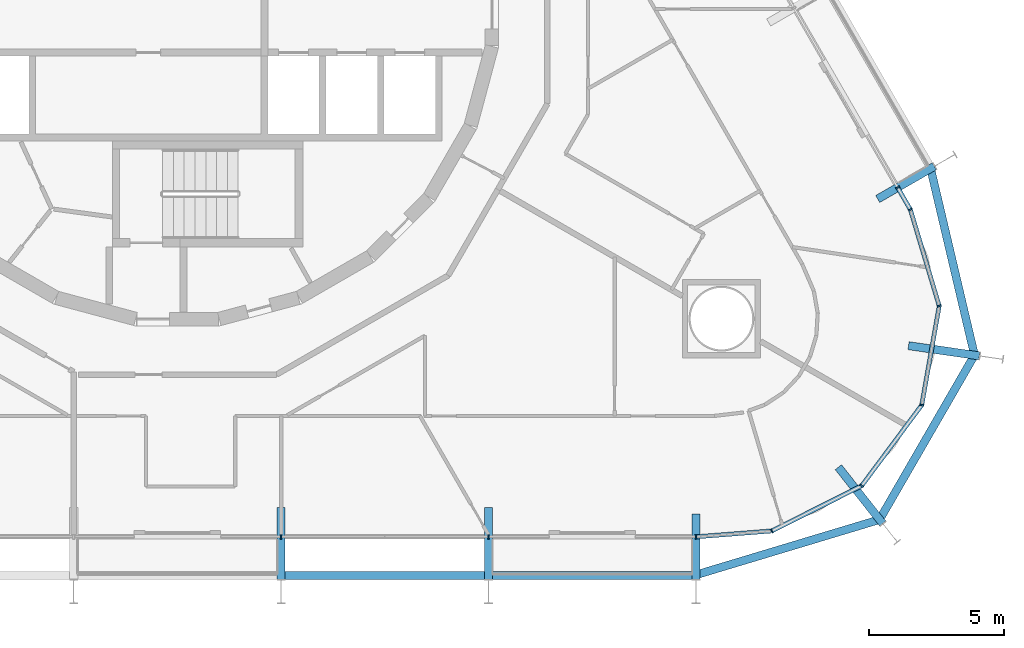
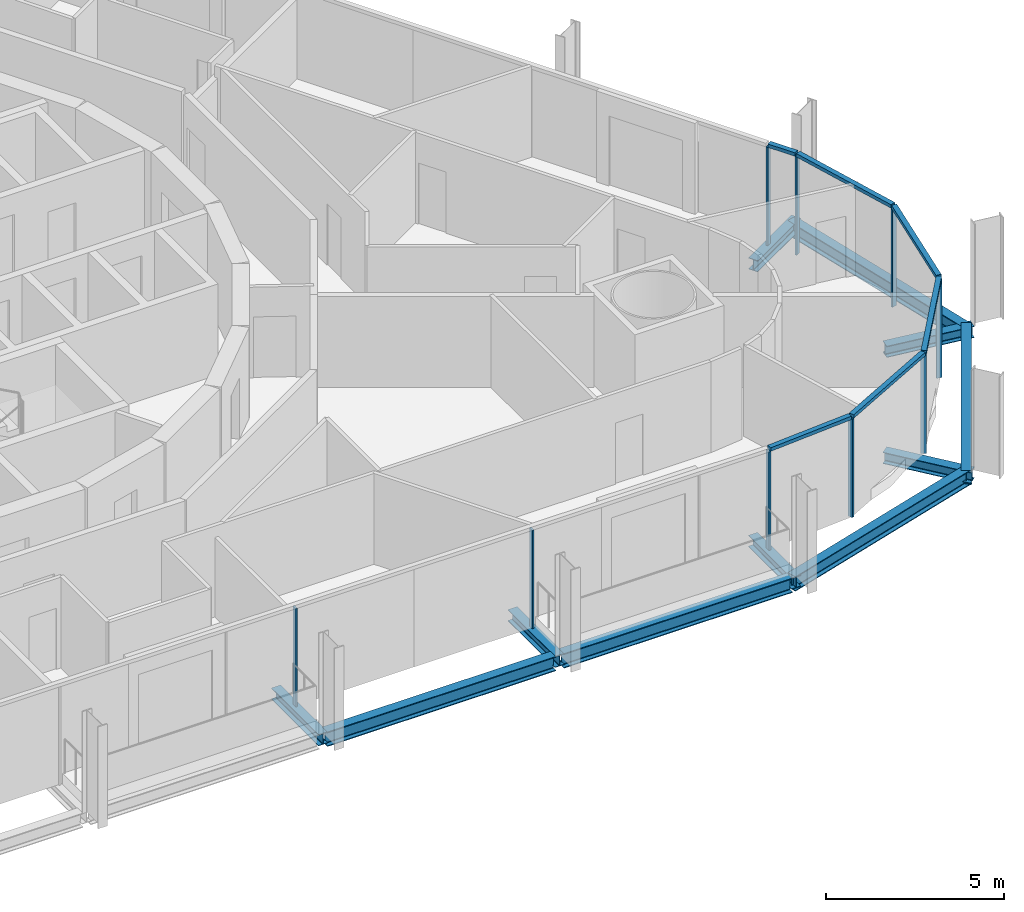
# One storey, part 6 of 20: 15 members, 11 beams, 3 elements without a shape of their own.
"""IFC4 building model written with IfcOpenShell, lengths in metres."""

from ifc_helpers import new_model, si_unit, direction, frame, origin, origin_2d, place, context, subcontext, project, spatial, rectangle, i_section, extrude, material, layer, layer_set, material_profile, profile_set, type_object, element, aggregate, save


model = new_model("IFC4")

# Units and contexts
model_context = context("Model", 3, precision=1e-05, world=origin(), true_north=direction((0.0, 1.0)))
body_context = subcontext(model_context, "Body", "Model", "MODEL_VIEW")
ifc_project = project(units=[si_unit("LENGTHUNIT", "METRE"), si_unit("AREAUNIT", "SQUARE_METRE"), si_unit("VOLUMEUNIT", "CUBIC_METRE"), si_unit("PLANEANGLEUNIT", "RADIAN"), si_unit("MASSUNIT", "GRAM", prefix="KILO")], contexts=[model_context])

# Site, building, storey
site_placement = place(None, origin())
site = spatial("IfcSite", under=ifc_project, at=site_placement, CompositionType="ELEMENT")
building_placement = place(site_placement, origin())
building = spatial("IfcBuilding", under=site, at=building_placement, Name="Spindle Arch Residences", CompositionType="ELEMENT")
storey_placement = place(building_placement, frame((0.0, 0.0, 41.89990234375)))
storey = spatial("IfcBuildingStorey", under=building, at=storey_placement, Name="L08", CompositionType="ELEMENT", Elevation=41.89990234375)

# Curtain wall, members
ifc_material_1 = material(Name="Aluminium bronze unitised frame with tinted glass", Category="aluminium")
ifc_layer_1 = layer(ifc_material_1, 0.159912109375)
ifc_layer_set_1 = layer_set([ifc_layer_1], Name="CW-D corner wall on the fillet arcs")
curtain_wall_type_1 = type_object("IfcCurtainWallType", Name="CW-D corner wall on the fillet arcs", PredefinedType="NOTDEFINED", material=ifc_layer_set_1)
curtain_wall_1_placement = place(storey_placement, origin())
curtain_wall_1 = element("IfcCurtainWall", 1, at=curtain_wall_1_placement, inside=storey, type_object=curtain_wall_type_1, Name="CW-D L08 run 1", PredefinedType="NOTDEFINED")
ifc_material_2 = material(Name="Aluminium bronze anodised mullion", Category="aluminium")
ifc_material_profile_1 = material_profile(ifc_material_2, rectangle(XDim=0.159912109375, YDim=0.06005859375, at=origin_2d()), Name="MU 60x160")
ifc_profile_set_1 = profile_set([ifc_material_profile_1], Name="Aluminium bronze anodised mullion")
member_type_1 = type_object("IfcMemberType", Name="Bronze mullion 60x160", PredefinedType="MULLION", material=ifc_profile_set_1)
member_1_placement = place(storey_placement, frame((19.2001953125, -19.7099609375, -0.3798828125), z_axis=(0.0, 0.0, 1.0), x_axis=(-0.077364085451, 0.997002907861, 0.0)))
member_1 = element("IfcMember", 2, at=member_1_placement, type_object=member_type_1, Name="CW-D mullion 00", PredefinedType="MULLION", context=body_context, shape_type="SweptSolid", body=[
    extrude(rectangle(XDim=0.159912109375, YDim=0.06005859375, at=origin_2d()), origin(), (0.0, 0.0, 1.0), 3.3798828125),
])
member_2_placement = place(storey_placement, frame((22.007080078125, -19.4921875, -0.3798828125), z_axis=(0.0, 0.0, 1.0), x_axis=(-0.448799176213, 0.893632642326, 0.0)))
member_2 = element("IfcMember", 3, at=member_2_placement, type_object=member_type_1, Name="CW-D mullion 01", PredefinedType="MULLION", context=body_context, shape_type="SweptSolid", body=[
    extrude(rectangle(XDim=0.159912109375, YDim=0.06005859375, at=origin_2d()), origin(), (0.0, 0.0, 1.0), 3.3798828125),
])
member_3_placement = place(storey_placement, frame((25.33740234375, -17.819580078125, -0.3798828125), z_axis=(0.0, 0.0, 1.0), x_axis=(-0.802123189687, 0.597158595823, 0.0)))
member_3 = element("IfcMember", 4, at=member_3_placement, type_object=member_type_1, Name="CW-D mullion 02", PredefinedType="MULLION", context=body_context, shape_type="SweptSolid", body=[
    extrude(rectangle(XDim=0.159912109375, YDim=0.06005859375, at=origin_2d()), origin(), (0.0, 0.0, 1.0), 3.3798828125),
])
member_4_placement = place(storey_placement, frame((27.562744140625, -14.830322265625, -0.3798828125), z_axis=(0.0, 0.0, 1.0), x_axis=(-0.984807752421, 0.173648181019, 0.0)))
member_4 = element("IfcMember", 5, at=member_4_placement, type_object=member_type_1, Name="CW-D mullion 03", PredefinedType="MULLION", context=body_context, shape_type="SweptSolid", body=[
    extrude(rectangle(XDim=0.159912109375, YDim=0.06005859375, at=origin_2d()), origin(), (0.0, 0.0, 1.0), 3.3798828125),
])
member_5_placement = place(storey_placement, frame((28.2099609375, -11.16015625, -0.3798828125), z_axis=(0.0, 0.0, 1.0), x_axis=(-0.957989512975, -0.28680323051, 0.0)))
member_5 = element("IfcMember", 6, at=member_5_placement, type_object=member_type_1, Name="CW-D mullion 04", PredefinedType="MULLION", context=body_context, shape_type="SweptSolid", body=[
    extrude(rectangle(XDim=0.159912109375, YDim=0.06005859375, at=origin_2d()), origin(), (0.0, 0.0, 1.0), 3.3798828125),
])
member_6_placement = place(storey_placement, frame((27.14111328125, -7.58984375, -0.3798828125), z_axis=(0.0, 0.0, 1.0), x_axis=(-0.866025403784, -0.5, 0.0)))
member_6 = element("IfcMember", 7, at=member_6_placement, type_object=member_type_1, Name="CW-D mullion 05", PredefinedType="MULLION", context=body_context, shape_type="SweptSolid", body=[
    extrude(rectangle(XDim=0.159912109375, YDim=0.06005859375, at=origin_2d()), origin(), (0.0, 0.0, 1.0), 3.3798828125),
])

# Curtain wall, member
ifc_material_3 = material(Name="Aluminium bronze unitised frame with tinted glass", Category="aluminium")
ifc_layer_2 = layer(ifc_material_3, 0.159912109375)
ifc_layer_set_2 = layer_set([ifc_layer_2], Name="CW-C typical residential unitised wall")
curtain_wall_type_2 = type_object("IfcCurtainWallType", Name="CW-C typical residential unitised wall", PredefinedType="NOTDEFINED", material=ifc_layer_set_2)
curtain_wall_2_placement = place(storey_placement, origin())
curtain_wall_2 = element("IfcCurtainWall", 8, at=curtain_wall_2_placement, inside=storey, type_object=curtain_wall_type_2, Name="CW-C L08 run 2", PredefinedType="NOTDEFINED")
member_7_placement = place(storey_placement, frame((26.66943359375, -6.77294921875, -0.3798828125), z_axis=(0.0, 0.0, 1.0), x_axis=(-0.866025403784, -0.5, 0.0)))
member_7 = element("IfcMember", 9, at=member_7_placement, type_object=member_type_1, Name="CW-C mullion 05", PredefinedType="MULLION", context=body_context, shape_type="SweptSolid", body=[
    extrude(rectangle(XDim=0.159912109375, YDim=0.06005859375, at=origin_2d()), origin(), (0.0, 0.0, 1.0), 3.3798828125),
])
aggregate(curtain_wall_2, [member_7])

# Curtain wall, members
curtain_wall_3_placement = place(storey_placement, origin())
curtain_wall_3 = element("IfcCurtainWall", 10, at=curtain_wall_3_placement, inside=storey, type_object=curtain_wall_type_2, Name="CW-C L08 run 6", PredefinedType="NOTDEFINED")
member_8_placement = place(storey_placement, frame((3.840087890625, -19.7099609375, -0.3798828125), z_axis=(0.0, 0.0, 1.0), x_axis=(0.0, 1.0, 0.0)))
member_8 = element("IfcMember", 11, at=member_8_placement, type_object=member_type_1, Name="CW-C mullion 00", PredefinedType="MULLION", context=body_context, shape_type="SweptSolid", body=[
    extrude(rectangle(XDim=0.159912109375, YDim=0.06005859375, at=origin_2d()), origin(), (0.0, 0.0, 1.0), 3.3798828125),
])
member_9_placement = place(storey_placement, frame((11.52001953125, -19.7099609375, -0.3798828125), z_axis=(0.0, 0.0, 1.0), x_axis=(0.0, 1.0, 0.0)))
member_9 = element("IfcMember", 12, at=member_9_placement, type_object=member_type_1, Name="CW-C mullion 01", PredefinedType="MULLION", context=body_context, shape_type="SweptSolid", body=[
    extrude(rectangle(XDim=0.159912109375, YDim=0.06005859375, at=origin_2d()), origin(), (0.0, 0.0, 1.0), 3.3798828125),
])
aggregate(curtain_wall_3, [member_8, member_9])

# Member
ifc_material_4 = material(Name="Aluminium bronze anodised transom", Category="aluminium")
ifc_material_profile_2 = material_profile(ifc_material_4, rectangle(XDim=0.159912109375, YDim=0.1201171875, at=origin_2d()), Name="TR 120x160")
ifc_profile_set_2 = profile_set([ifc_material_profile_2], Name="Aluminium bronze anodised transom")
member_type_2 = type_object("IfcMemberType", Name="Bronze transom 120x160", PredefinedType="USERDEFINED", material=ifc_profile_set_2)
member_10_placement = place(storey_placement, frame((19.22998046875, -19.70751953125, 3.06005859375), z_axis=(0.997003710875, 0.077353736189, 0.0), x_axis=(-0.077353736189, 0.997003710875, 0.0)))
member_10 = element("IfcMember", 13, at=member_10_placement, type_object=member_type_2, Name="CW-D transom 00", ObjectType="TRANSOM", PredefinedType="USERDEFINED", context=body_context, shape_type="SweptSolid", body=[
    extrude(rectangle(XDim=0.159912109375, YDim=0.1201171875, at=origin_2d()), origin(), (0.0, 0.0, 1.0), 2.75537109375),
])

member_11_placement = place(storey_placement, frame((22.03369140625, -19.478759765625, 3.06005859375), z_axis=(0.893626812559, 0.448810784046, 0.0), x_axis=(-0.448810784046, 0.893626812559, 0.0)))
member_11 = element("IfcMember", 14, at=member_11_placement, type_object=member_type_2, Name="CW-D transom 01", ObjectType="TRANSOM", PredefinedType="USERDEFINED", context=body_context, shape_type="SweptSolid", body=[
    extrude(rectangle(XDim=0.159912109375, YDim=0.1201171875, at=origin_2d()), origin(), (0.0, 0.0, 1.0), 3.6669921875),
])

member_12_placement = place(storey_placement, frame((25.355224609375, -17.79541015625, 3.06005859375), z_axis=(0.597173190998, 0.802112323776, 0.0), x_axis=(-0.802112323776, 0.597173190998, 0.0)))
member_12 = element("IfcMember", 15, at=member_12_placement, type_object=member_type_2, Name="CW-D transom 02", ObjectType="TRANSOM", PredefinedType="USERDEFINED", context=body_context, shape_type="SweptSolid", body=[
    extrude(rectangle(XDim=0.159912109375, YDim=0.1201171875, at=origin_2d()), origin(), (0.0, 0.0, 1.0), 3.666748046875),
])

member_13_placement = place(storey_placement, frame((27.56787109375, -14.80078125, 3.06005859375), z_axis=(0.173709368694, 0.984796961423, 0.0), x_axis=(-0.984796961423, 0.173709368694, 0.0)))
member_13 = element("IfcMember", 16, at=member_13_placement, type_object=member_type_2, Name="CW-D transom 03", ObjectType="TRANSOM", PredefinedType="USERDEFINED", context=body_context, shape_type="SweptSolid", body=[
    extrude(rectangle(XDim=0.159912109375, YDim=0.1201171875, at=origin_2d()), origin(), (0.0, 0.0, 1.0), 3.666748046875),
])

member_14_placement = place(storey_placement, frame((28.201416015625, -11.13134765625, 3.06005859375), z_axis=(-0.286834736274, 0.957980080203, 0.0), x_axis=(-0.957980080203, -0.286834736274, 0.0)))
member_14 = element("IfcMember", 17, at=member_14_placement, type_object=member_type_2, Name="CW-D transom 04", ObjectType="TRANSOM", PredefinedType="USERDEFINED", context=body_context, shape_type="SweptSolid", body=[
    extrude(rectangle(XDim=0.159912109375, YDim=0.1201171875, at=origin_2d()), origin(), (0.0, 0.0, 1.0), 3.666748046875),
])

member_15_placement = place(storey_placement, frame((27.1259765625, -7.56396484375, 3.06005859375), z_axis=(-0.499913830031, 0.866075148324, 0.0), x_axis=(-0.866075148324, -0.499913830031, 0.0)))
member_15 = element("IfcMember", 18, at=member_15_placement, type_object=member_type_2, Name="CW-D transom 05", ObjectType="TRANSOM", PredefinedType="USERDEFINED", context=body_context, shape_type="SweptSolid", body=[
    extrude(rectangle(XDim=0.159912109375, YDim=0.1201171875, at=origin_2d()), origin(), (0.0, 0.0, 1.0), 0.883544921875),
])

aggregate(curtain_wall_1, [member_1, member_10, member_2, member_11, member_3, member_12, member_4, member_13, member_5, member_14, member_6, member_15])

# Beams
ifc_material_5 = material(Name="Steel S460ML, intumescent coating R 120", Category="steel")
ifc_material_profile_3 = material_profile(ifc_material_5, i_section(OverallWidth=0.300048828125, OverallDepth=0.5, WebThickness=0.014404296875, FlangeThickness=0.028076171875, FilletRadius=0.027099609375, at=origin_2d()), Name="HEB 500")
ifc_profile_set_3 = profile_set([ifc_material_profile_3], Name="Steel S460ML, intumescent coating R 120")
beam_type_1 = type_object("IfcBeamType", Name="Exoskeleton edge beam HEB 500", PredefinedType="BEAM", material=ifc_profile_set_3)
for number, where, z_axis, x_axis, name in (
    (19, (3.969970703125, -21.142822265625, -0.6298828125), (1.0, 0.0, 0.0), (0.0, 1.0, 0.0), "Exoskeleton edge beam 1"),
    (20, (11.650146484375, -21.142822265625, -0.6298828125), (1.0, 0.0, 0.0), (0.0, 1.0, 0.0), "Exoskeleton edge beam 2"),
):
    element("IfcBeam", number, at=place(storey_placement, frame(where, z_axis=z_axis, x_axis=x_axis)), inside=storey, type_object=beam_type_1, Name=name, PredefinedType="BEAM", context=body_context, shape_type="SweptSolid", body=[
        extrude(i_section(OverallWidth=0.300048828125, OverallDepth=0.5, WebThickness=0.014404296875, FlangeThickness=0.028076171875, FilletRadius=0.027099609375, at=origin_2d()), origin(), (0.0, 0.0, 1.0), 7.420166015625),
    ])
beam_1_placement = place(storey_placement, frame((19.132568359375, -21.1376953125, -0.6298828125), z_axis=(0.95756732363, 0.288209681856, 0.0), x_axis=(-0.288209681856, 0.95756732363, 0.0)))
element("IfcBeam", 21, at=beam_1_placement, inside=storey, type_object=beam_type_1, Name="Exoskeleton edge beam 3", PredefinedType="BEAM", context=body_context, shape_type="SweptSolid", body=[
    extrude(i_section(OverallWidth=0.300048828125, OverallDepth=0.5, WebThickness=0.014404296875, FlangeThickness=0.028076171875, FilletRadius=0.027099609375, at=origin_2d()), origin(), (0.0, 0.0, 1.0), 7.250244140625),
])
beam_2_placement = place(storey_placement, frame((25.9482421875, -19.1591796875, -0.6298828125), z_axis=(0.499999897272, 0.866025463095, 0.0), x_axis=(-0.866025463095, 0.499999897272, 0.0)))
element("IfcBeam", 22, at=beam_2_placement, inside=storey, type_object=beam_type_1, Name="Exoskeleton edge beam 4", PredefinedType="BEAM", context=body_context, shape_type="SweptSolid", body=[
    extrude(i_section(OverallWidth=0.300048828125, OverallDepth=0.5, WebThickness=0.014404296875, FlangeThickness=0.028076171875, FilletRadius=0.027099609375, at=origin_2d()), origin(), (0.0, 0.0, 1.0), 7.236328125),
])
beam_3_placement = place(storey_placement, frame((29.53369140625, -13.0576171875, -0.6298828125), z_axis=(-0.229185730541, 0.973382710406, 0.0), x_axis=(-0.973382710406, -0.229185730541, 0.0)))
element("IfcBeam", 23, at=beam_3_placement, inside=storey, type_object=beam_type_1, Name="Exoskeleton edge beam 5", PredefinedType="BEAM", context=body_context, shape_type="SweptSolid", body=[
    extrude(i_section(OverallWidth=0.300048828125, OverallDepth=0.5, WebThickness=0.014404296875, FlangeThickness=0.028076171875, FilletRadius=0.027099609375, at=origin_2d()), origin(), (0.0, 0.0, 1.0), 7.25),
])
ifc_material_6 = material(Name="Steel S460ML, intumescent coating R 120", Category="steel")
ifc_material_profile_4 = material_profile(ifc_material_6, i_section(OverallWidth=0.300048828125, OverallDepth=0.389892578125, WebThickness=0.010986328125, FlangeThickness=0.01904296875, FilletRadius=0.027099609375, at=origin_2d()), Name="HEA 400")
ifc_profile_set_4 = profile_set([ifc_material_profile_4], Name="Steel S460ML, intumescent coating R 120")
beam_type_2 = type_object("IfcBeamType", Name="Floor outrigger HEA 400", PredefinedType="BEAM", material=ifc_profile_set_4)
for number, where, z_axis, x_axis, name in (
    (24, (3.840087890625, -21.27978515625, -0.574951171875), (0.0, 1.0, 0.0), (-1.0, 0.0, 0.0), "Floor outrigger 1"),
    (25, (11.52001953125, -21.27978515625, -0.574951171875), (0.0, 1.0, 0.0), (-1.0, 0.0, 0.0), "Floor outrigger 2"),
):
    element("IfcBeam", number, at=place(storey_placement, frame(where, z_axis=z_axis, x_axis=x_axis)), inside=storey, type_object=beam_type_2, Name=name, PredefinedType="BEAM", context=body_context, shape_type="SweptSolid", body=[
        extrude(i_section(OverallWidth=0.300048828125, OverallDepth=0.389892578125, WebThickness=0.010986328125, FlangeThickness=0.01904296875, FilletRadius=0.027099609375, at=origin_2d()), origin(), (0.0, 0.0, 1.0), 2.64990234375),
    ])
beam_4_placement = place(storey_placement, frame((19.2001953125, -21.27978515625, -0.574951171875), z_axis=(0.0, 1.0, 0.0), x_axis=(-1.0, 0.0, 0.0)))
element("IfcBeam", 26, at=beam_4_placement, inside=storey, type_object=beam_type_2, Name="Floor outrigger 3", PredefinedType="BEAM", context=body_context, shape_type="SweptSolid", body=[
    extrude(i_section(OverallWidth=0.300048828125, OverallDepth=0.389892578125, WebThickness=0.010986328125, FlangeThickness=0.01904296875, FilletRadius=0.027099609375, at=origin_2d()), origin(), (0.0, 0.0, 1.0), 2.42333984375),
])
for number, where, z_axis, x_axis, name in (
    (27, (26.11328125, -19.211669921875, -0.574951171875), (-0.618586231558, 0.785716917297, 0.0), (-0.785716917297, -0.618586231558, 0.0), "Floor outrigger 4"),
    (28, (29.694580078125, -13.009033203125, -0.574951171875), (-0.989738348309, 0.142891573883, 0.0), (-0.142891573883, -0.989738348309, 0.0), "Floor outrigger 5"),
):
    element("IfcBeam", number, at=place(storey_placement, frame(where, z_axis=z_axis, x_axis=x_axis)), inside=storey, type_object=beam_type_2, Name=name, PredefinedType="BEAM", context=body_context, shape_type="SweptSolid", body=[
        extrude(i_section(OverallWidth=0.300048828125, OverallDepth=0.389892578125, WebThickness=0.010986328125, FlangeThickness=0.01904296875, FilletRadius=0.027099609375, at=origin_2d()), origin(), (0.0, 0.0, 1.0), 2.64990234375),
    ])
beam_5_placement = place(storey_placement, frame((28.029052734375, -5.98779296875, -0.574951171875), z_axis=(-0.866002732682, -0.500039265445, 0.0), x_axis=(0.500039265445, -0.866002732682, 0.0)))
element("IfcBeam", 29, at=beam_5_placement, inside=storey, type_object=beam_type_2, Name="Floor outrigger 6", PredefinedType="BEAM", context=body_context, shape_type="SweptSolid", body=[
    extrude(i_section(OverallWidth=0.300048828125, OverallDepth=0.389892578125, WebThickness=0.010986328125, FlangeThickness=0.01904296875, FilletRadius=0.027099609375, at=origin_2d()), origin(), (0.0, 0.0, 1.0), 2.423583984375),
])

save(model, "model.ifc")
